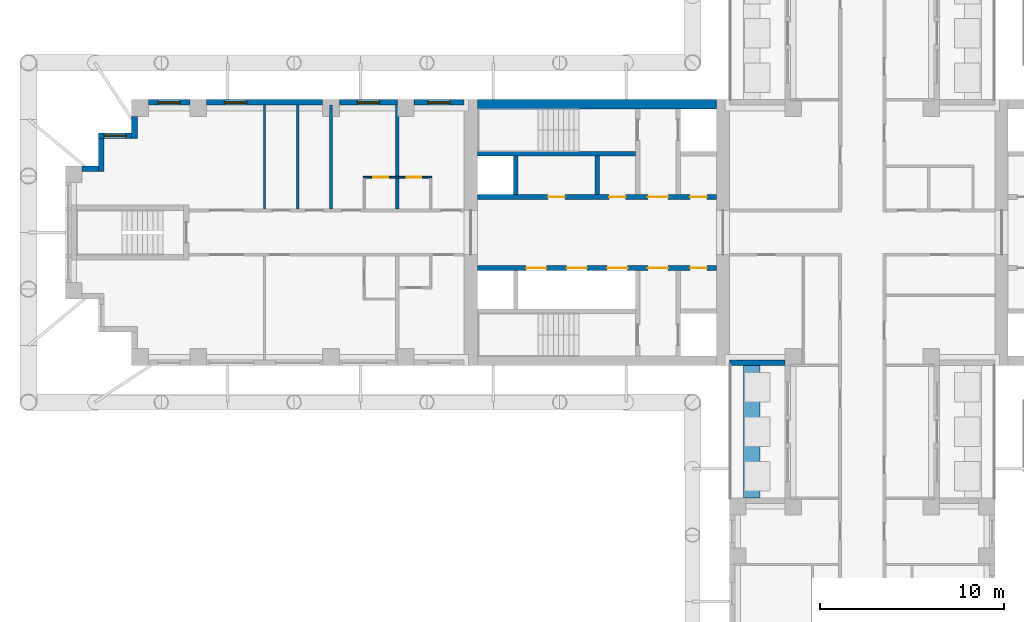
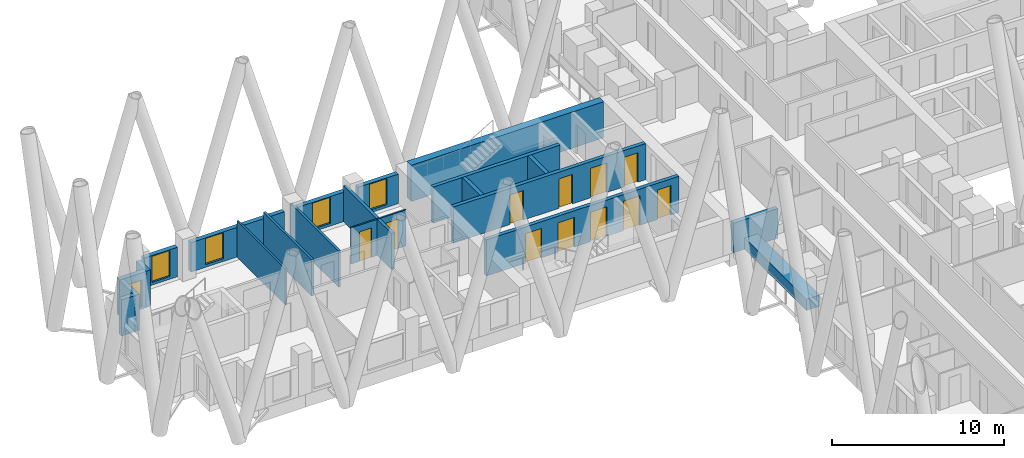
# One storey, part 7 of 16: 21 walls, 11 doors, 5 windows, 16 openings.
"""IFC4 building model written with IfcOpenShell, lengths in metres."""

from ifc_helpers import new_model, si_unit, direction, frame, frame_2d, origin, place, context, subcontext, project, spatial, rectangle, extrude, material, layer, layer_set, type_object, element, fill, save


model = new_model("IFC4")

# Units and contexts
model_context = context("Model", 3, precision=1e-05, world=origin(), true_north=direction((0.0, 1.0)))
body_context = subcontext(model_context, "Body", "Model", "MODEL_VIEW")
ifc_project = project(units=[si_unit("LENGTHUNIT", "METRE"), si_unit("AREAUNIT", "SQUARE_METRE"), si_unit("VOLUMEUNIT", "CUBIC_METRE"), si_unit("PLANEANGLEUNIT", "RADIAN"), si_unit("MASSUNIT", "GRAM", prefix="KILO")], contexts=[model_context])

# Site, building, storey
site_placement = place(None, origin())
site = spatial("IfcSite", under=ifc_project, at=site_placement, CompositionType="ELEMENT")
building_placement = place(site_placement, origin())
building = spatial("IfcBuilding", under=site, at=building_placement, Name="Fustian Cross Tower", CompositionType="ELEMENT")
storey_placement = place(building_placement, frame((0.0, 0.0, 44.699951171875)))
storey = spatial("IfcBuildingStorey", under=building, at=storey_placement, Name="L13", CompositionType="ELEMENT", Elevation=44.699951171875)

# Walls
ifc_material_1 = material(Name="Plasterboard on steel stud", Category="steel")
ifc_layer_1 = layer(ifc_material_1, 0.14990234375)
ifc_layer_set_1 = layer_set([ifc_layer_1], Name="Plasterboard on steel stud")
wall_type_1 = type_object("IfcWallType", Name="COMPARTMENT WALL 150 EI 60", PredefinedType="PARTITIONING", material=ifc_layer_set_1)
for number, where, z_axis, x_axis, name in (
    (1, (-30.60009765625, 1.27490234375, 0.0), (0.0, 0.0, 1.0), (0.0, 1.0, 0.0), "Partition 5"),
    (2, (-28.800048828125, 1.27490234375, 0.0), (0.0, 0.0, 1.0), (0.0, 1.0, 0.0), "Partition 6"),
):
    element("IfcWall", number, at=place(storey_placement, frame(where, z_axis=z_axis, x_axis=x_axis)), inside=storey, type_object=wall_type_1, Name=name, PredefinedType="PARTITIONING", context=body_context, shape_type="SweptSolid", body=[
        extrude(rectangle(XDim=5.625, YDim=0.14990234375, at=frame_2d((2.8125, 0.0))), origin(), (0.0, 0.0, 1.0), 2.574951171875),
    ])
ifc_material_2 = material(Name="Concrete C80/95", Category="concrete")
ifc_layer_2 = layer(ifc_material_2, 0.5)
ifc_layer_set_2 = layer_set([ifc_layer_2], Name="Concrete C80/95")
wall_type_2 = type_object("IfcWallType", Name="CORE FACADE WALL 500 C80/95", PredefinedType="SHEAR", material=ifc_layer_set_2)
wall_1_placement = place(storey_placement, frame((-7.89990234375, 6.949951171875, 0.0), z_axis=(0.0, 0.0, 1.0), x_axis=(-1.0, 0.0, 0.0)))
element("IfcWall", 3, at=wall_1_placement, inside=storey, type_object=wall_type_2, Name="Core facade wall", PredefinedType="SHEAR", context=body_context, shape_type="SweptSolid", body=[
    extrude(rectangle(XDim=12.9501953125, YDim=0.5, at=frame_2d((6.47509765625, 0.0))), origin(), (0.0, 0.0, 1.0), 2.574951171875),
])

# Wall, openings, doors
ifc_material_3 = material(Name="Concrete C50/60", Category="concrete")
ifc_layer_3 = layer(ifc_material_3, 0.25)
ifc_layer_set_3 = layer_set([ifc_layer_3], Name="Concrete C50/60")
wall_type_3 = type_object("IfcWallType", Name="CORE LOBBY WALL 250 C50/60", PredefinedType="SHEAR", material=ifc_layer_set_3)
wall_2_placement = place(storey_placement, frame((-7.89990234375, 1.925048828125, 0.0), z_axis=(0.0, 0.0, 1.0), x_axis=(-1.0, 0.0, 0.0)))
wall_2 = element("IfcWall", 4, at=wall_2_placement, inside=storey, type_object=wall_type_3, Name="Core lobby wall", PredefinedType="SHEAR", context=body_context, shape_type="SweptSolid", body=[
    extrude(rectangle(XDim=12.9501953125, YDim=0.25, at=frame_2d((6.47509765625, 0.0))), origin(), (0.0, 0.0, 1.0), 2.574951171875),
])
opening_1_placement = place(wall_2_placement, frame((0.52490234375, 0.0, 0.0)))
opening_1 = element("IfcOpeningElement", 5, at=opening_1_placement, cuts=wall_2, Name="Opening CD-05-23", PredefinedType="OPENING", context=body_context, shape_type="SweptSolid", body=[
    extrude(rectangle(XDim=0.89990234375, YDim=2.10009765625, at=frame_2d((0.449951171875, 1.050048828125))), frame((0.0, 0.135009765625, 0.0), z_axis=(0.0, -1.0, 0.0), x_axis=(1.0, 0.0, 0.0)), (0.0, 0.0, 1.0), 0.27001953125),
])
opening_2_placement = place(wall_2_placement, frame((2.625, 0.0, 0.0)))
opening_2 = element("IfcOpeningElement", 6, at=opening_2_placement, cuts=wall_2, Name="Opening CD-05-25", PredefinedType="OPENING", context=body_context, shape_type="SweptSolid", body=[
    extrude(rectangle(XDim=1.10009765625, YDim=2.10009765625, at=frame_2d((0.550048828125, 1.050048828125))), frame((0.0, 0.135009765625, 0.0), z_axis=(0.0, -1.0, 0.0), x_axis=(1.0, 0.0, 0.0)), (0.0, 0.0, 1.0), 0.27001953125),
])
opening_3_placement = place(wall_2_placement, frame((4.925048828125, 0.0, 0.0)))
opening_3 = element("IfcOpeningElement", 7, at=opening_3_placement, cuts=wall_2, Name="Opening CD-05-29", PredefinedType="OPENING", context=body_context, shape_type="SweptSolid", body=[
    extrude(rectangle(XDim=0.89990234375, YDim=2.10009765625, at=frame_2d((0.449951171875, 1.050048828125))), frame((0.0, 0.135009765625, 0.0), z_axis=(0.0, -1.0, 0.0), x_axis=(1.0, 0.0, 0.0)), (0.0, 0.0, 1.0), 0.27001953125),
])
opening_4_placement = place(wall_2_placement, frame((8.22509765625, 0.0, 0.0)))
opening_4 = element("IfcOpeningElement", 8, at=opening_4_placement, cuts=wall_2, Name="Opening CD-05-30", PredefinedType="OPENING", context=body_context, shape_type="SweptSolid", body=[
    extrude(rectangle(XDim=0.89990234375, YDim=2.10009765625, at=frame_2d((0.449951171875, 1.050048828125))), frame((0.0, 0.135009765625, 0.0), z_axis=(0.0, -1.0, 0.0), x_axis=(1.0, 0.0, 0.0)), (0.0, 0.0, 1.0), 0.27001953125),
])
ifc_material_4 = material(Name="Steel", Category="steel")
door_type_1 = type_object("IfcDoorType", Name="FIRE DOOR FD30S 900X2100", OperationType="SINGLE_SWING_LEFT", PredefinedType="DOOR", material=ifc_material_4)
door_1_placement = place(opening_3_placement, frame((0.89990234375, 0.0, 0.0), z_axis=(0.0, 0.0, 1.0), x_axis=(-1.0, 0.0, 0.0)))
door_1 = element("IfcDoor", 9, at=door_1_placement, inside=storey, type_object=door_type_1, Name="Core door CD-05-29", OperationType="SINGLE_SWING_RIGHT", OverallHeight=2.10009765625, OverallWidth=0.89990234375, PredefinedType="DOOR", context=body_context, shape_type="SweptSolid", body=[
    extrude(rectangle(XDim=0.89990234375, YDim=2.10009765625, at=frame_2d((0.449951171875, 1.050048828125))), frame((0.0, 0.02490234375, 0.0), z_axis=(0.0, -1.0, 0.0), x_axis=(1.0, 0.0, 0.0)), (0.0, 0.0, 1.0), 0.050048828125),
])
fill(opening_3, door_1)
door_2_placement = place(opening_4_placement, frame((0.89990234375, 0.0, 0.0), z_axis=(0.0, 0.0, 1.0), x_axis=(-1.0, 0.0, 0.0)))
door_2 = element("IfcDoor", 10, at=door_2_placement, inside=storey, type_object=door_type_1, Name="Core door CD-05-30", OperationType="SINGLE_SWING_LEFT", OverallHeight=2.10009765625, OverallWidth=0.89990234375, PredefinedType="DOOR", context=body_context, shape_type="SweptSolid", body=[
    extrude(rectangle(XDim=0.89990234375, YDim=2.10009765625, at=frame_2d((0.449951171875, 1.050048828125))), frame((0.0, 0.02490234375, 0.0), z_axis=(0.0, -1.0, 0.0), x_axis=(1.0, 0.0, 0.0)), (0.0, 0.0, 1.0), 0.050048828125),
])
fill(opening_4, door_2)
ifc_material_5 = material(Name="Steel", Category="steel")
door_type_2 = type_object("IfcDoorType", Name="FIRE DOOR FD60S 1100X2100", OperationType="SINGLE_SWING_LEFT", PredefinedType="DOOR", material=ifc_material_5)
door_3_placement = place(opening_2_placement, frame((1.10009765625, 0.0, 0.0), z_axis=(0.0, 0.0, 1.0), x_axis=(-1.0, 0.0, 0.0)))
door_3 = element("IfcDoor", 11, at=door_3_placement, inside=storey, type_object=door_type_2, Name="Core door CD-05-25", OperationType="SINGLE_SWING_RIGHT", OverallHeight=2.10009765625, OverallWidth=1.10009765625, PredefinedType="DOOR", context=body_context, shape_type="SweptSolid", body=[
    extrude(rectangle(XDim=1.10009765625, YDim=2.10009765625, at=frame_2d((0.550048828125, 1.050048828125))), frame((0.0, 0.02490234375, 0.0), z_axis=(0.0, -1.0, 0.0), x_axis=(1.0, 0.0, 0.0)), (0.0, 0.0, 1.0), 0.050048828125),
])
fill(opening_2, door_3)
ifc_material_6 = material(Name="Steel", Category="steel")
door_type_3 = type_object("IfcDoorType", Name="FIRE DOOR FD60S 900X2100", OperationType="SINGLE_SWING_LEFT", PredefinedType="DOOR", material=ifc_material_6)
door_4_placement = place(opening_1_placement, frame((0.89990234375, 0.0, 0.0), z_axis=(0.0, 0.0, 1.0), x_axis=(-1.0, 0.0, 0.0)))
door_4 = element("IfcDoor", 12, at=door_4_placement, inside=storey, type_object=door_type_3, Name="Core door CD-05-23", OperationType="SINGLE_SWING_RIGHT", OverallHeight=2.10009765625, OverallWidth=0.89990234375, PredefinedType="DOOR", context=body_context, shape_type="SweptSolid", body=[
    extrude(rectangle(XDim=0.89990234375, YDim=2.10009765625, at=frame_2d((0.449951171875, 1.050048828125))), frame((0.0, 0.02490234375, 0.0), z_axis=(0.0, -1.0, 0.0), x_axis=(1.0, 0.0, 0.0)), (0.0, 0.0, 1.0), 0.050048828125),
])
fill(opening_1, door_4)

wall_3_placement = place(storey_placement, frame((-7.89990234375, -1.925048828125, 0.0), z_axis=(0.0, 0.0, 1.0), x_axis=(-1.0, 0.0, 0.0)))
wall_3 = element("IfcWall", 13, at=wall_3_placement, inside=storey, type_object=wall_type_3, Name="Core lobby wall", PredefinedType="SHEAR", context=body_context, shape_type="SweptSolid", body=[
    extrude(rectangle(XDim=12.9501953125, YDim=0.25, at=frame_2d((6.47509765625, 0.0))), origin(), (0.0, 0.0, 1.0), 2.574951171875),
])
opening_5_placement = place(wall_3_placement, frame((4.824951171875, 0.0, 0.0)))
opening_5 = element("IfcOpeningElement", 14, at=opening_5_placement, cuts=wall_3, Name="Opening LD", PredefinedType="OPENING", context=body_context, shape_type="SweptSolid", body=[
    extrude(rectangle(XDim=1.10009765625, YDim=2.10009765625, at=frame_2d((0.550048828125, 1.050048828125))), frame((0.0, 0.135009765625, 0.0), z_axis=(0.0, -1.0, 0.0), x_axis=(1.0, 0.0, 0.0)), (0.0, 0.0, 1.0), 0.27001953125),
])
opening_6_placement = place(wall_3_placement, frame((7.02490234375, 0.0, 0.0)))
opening_6 = element("IfcOpeningElement", 15, at=opening_6_placement, cuts=wall_3, Name="Opening LD", PredefinedType="OPENING", context=body_context, shape_type="SweptSolid", body=[
    extrude(rectangle(XDim=1.10009765625, YDim=2.10009765625, at=frame_2d((0.550048828125, 1.050048828125))), frame((0.0, 0.135009765625, 0.0), z_axis=(0.0, -1.0, 0.0), x_axis=(1.0, 0.0, 0.0)), (0.0, 0.0, 1.0), 0.27001953125),
])
opening_7_placement = place(wall_3_placement, frame((9.22509765625, 0.0, 0.0)))
opening_7 = element("IfcOpeningElement", 16, at=opening_7_placement, cuts=wall_3, Name="Opening LD", PredefinedType="OPENING", context=body_context, shape_type="SweptSolid", body=[
    extrude(rectangle(XDim=1.10009765625, YDim=2.10009765625, at=frame_2d((0.550048828125, 1.050048828125))), frame((0.0, 0.135009765625, 0.0), z_axis=(0.0, -1.0, 0.0), x_axis=(1.0, 0.0, 0.0)), (0.0, 0.0, 1.0), 0.27001953125),
])
opening_8_placement = place(wall_3_placement, frame((0.52490234375, 0.0, 0.0)))
opening_8 = element("IfcOpeningElement", 17, at=opening_8_placement, cuts=wall_3, Name="Opening CD-05-24", PredefinedType="OPENING", context=body_context, shape_type="SweptSolid", body=[
    extrude(rectangle(XDim=0.89990234375, YDim=2.10009765625, at=frame_2d((0.449951171875, 1.050048828125))), frame((0.0, 0.135009765625, 0.0), z_axis=(0.0, -1.0, 0.0), x_axis=(1.0, 0.0, 0.0)), (0.0, 0.0, 1.0), 0.27001953125),
])
opening_9_placement = place(wall_3_placement, frame((2.625, 0.0, 0.0)))
opening_9 = element("IfcOpeningElement", 18, at=opening_9_placement, cuts=wall_3, Name="Opening CD-05-26", PredefinedType="OPENING", context=body_context, shape_type="SweptSolid", body=[
    extrude(rectangle(XDim=1.10009765625, YDim=2.10009765625, at=frame_2d((0.550048828125, 1.050048828125))), frame((0.0, 0.135009765625, 0.0), z_axis=(0.0, -1.0, 0.0), x_axis=(1.0, 0.0, 0.0)), (0.0, 0.0, 1.0), 0.27001953125),
])
ifc_material_7 = material(Name="Steel", Category="steel")
door_type_4 = type_object("IfcDoorType", Name="FIRE DOOR FD30S 1100X2100", OperationType="SINGLE_SWING_LEFT", PredefinedType="DOOR", material=ifc_material_7)
door_5_placement = place(opening_9_placement, frame((1.10009765625, 0.0, 0.0), z_axis=(0.0, 0.0, 1.0), x_axis=(-1.0, 0.0, 0.0)))
door_5 = element("IfcDoor", 19, at=door_5_placement, inside=storey, type_object=door_type_4, Name="Core door CD-05-26", OperationType="SINGLE_SWING_RIGHT", OverallHeight=2.10009765625, OverallWidth=1.10009765625, PredefinedType="DOOR", context=body_context, shape_type="SweptSolid", body=[
    extrude(rectangle(XDim=1.10009765625, YDim=2.10009765625, at=frame_2d((0.550048828125, 1.050048828125))), frame((0.0, 0.02490234375, 0.0), z_axis=(0.0, -1.0, 0.0), x_axis=(1.0, 0.0, 0.0)), (0.0, 0.0, 1.0), 0.050048828125),
])
fill(opening_9, door_5)
door_6_placement = place(opening_8_placement, origin())
door_6 = element("IfcDoor", 20, at=door_6_placement, inside=storey, type_object=door_type_1, Name="Core door CD-05-24", OperationType="SINGLE_SWING_LEFT", OverallHeight=2.10009765625, OverallWidth=0.89990234375, PredefinedType="DOOR", context=body_context, shape_type="SweptSolid", body=[
    extrude(rectangle(XDim=0.89990234375, YDim=2.10009765625, at=frame_2d((0.449951171875, 1.050048828125))), frame((0.0, 0.02490234375, 0.0), z_axis=(0.0, -1.0, 0.0), x_axis=(1.0, 0.0, 0.0)), (0.0, 0.0, 1.0), 0.050048828125),
])
fill(opening_8, door_6)
ifc_material_8 = material(Name="Stainless steel", Category="steel")
door_type_5 = type_object("IfcDoorType", Name="LIFT LANDING DOOR 1100X2100", OperationType="SLIDING_TO_LEFT", PredefinedType="DOOR", material=ifc_material_8)
door_7_placement = place(opening_5_placement, origin())
door_7 = element("IfcDoor", 21, at=door_7_placement, inside=storey, type_object=door_type_5, Name="Landing door LR1W", OperationType="SLIDING_TO_LEFT", OverallHeight=2.10009765625, OverallWidth=1.10009765625, PredefinedType="DOOR", context=body_context, shape_type="SweptSolid", body=[
    extrude(rectangle(XDim=1.10009765625, YDim=2.10009765625, at=frame_2d((0.550048828125, 1.050048828125))), frame((0.0, 0.02490234375, 0.0), z_axis=(0.0, -1.0, 0.0), x_axis=(1.0, 0.0, 0.0)), (0.0, 0.0, 1.0), 0.050048828125),
])
fill(opening_5, door_7)
door_8_placement = place(opening_6_placement, origin())
door_8 = element("IfcDoor", 22, at=door_8_placement, inside=storey, type_object=door_type_5, Name="Landing door LR2W", OperationType="SLIDING_TO_LEFT", OverallHeight=2.10009765625, OverallWidth=1.10009765625, PredefinedType="DOOR", context=body_context, shape_type="SweptSolid", body=[
    extrude(rectangle(XDim=1.10009765625, YDim=2.10009765625, at=frame_2d((0.550048828125, 1.050048828125))), frame((0.0, 0.02490234375, 0.0), z_axis=(0.0, -1.0, 0.0), x_axis=(1.0, 0.0, 0.0)), (0.0, 0.0, 1.0), 0.050048828125),
])
fill(opening_6, door_8)
door_9_placement = place(opening_7_placement, origin())
door_9 = element("IfcDoor", 23, at=door_9_placement, inside=storey, type_object=door_type_5, Name="Landing door LR3W", OperationType="SLIDING_TO_LEFT", OverallHeight=2.10009765625, OverallWidth=1.10009765625, PredefinedType="DOOR", context=body_context, shape_type="SweptSolid", body=[
    extrude(rectangle(XDim=1.10009765625, YDim=2.10009765625, at=frame_2d((0.550048828125, 1.050048828125))), frame((0.0, 0.02490234375, 0.0), z_axis=(0.0, -1.0, 0.0), x_axis=(1.0, 0.0, 0.0)), (0.0, 0.0, 1.0), 0.050048828125),
])
fill(opening_7, door_9)

# Wall
ifc_material_9 = material(Name="Concrete C50/60", Category="concrete")
ifc_layer_4 = layer(ifc_material_9, 0.25)
ifc_layer_set_4 = layer_set([ifc_layer_4], Name="Concrete C50/60")
wall_type_4 = type_object("IfcWallType", Name="CORE SHAFT WALL 250 C50/60", PredefinedType="SHEAR", material=ifc_layer_set_4)
wall_4_placement = place(storey_placement, frame((-12.300048828125, 4.27490234375, 0.0), z_axis=(0.0, 0.0, 1.0), x_axis=(-1.0, 0.0, 0.0)))
element("IfcWall", 24, at=wall_4_placement, inside=storey, type_object=wall_type_4, Name="Core shaft wall", PredefinedType="SHEAR", context=body_context, shape_type="SweptSolid", body=[
    extrude(rectangle(XDim=8.550048828125, YDim=0.25, at=frame_2d((4.27490234375, 0.0))), origin(), (0.0, 0.0, 1.0), 2.574951171875),
])

# Wall, openings, doors
ifc_material_10 = material(Name="Plasterboard on steel stud", Category="steel")
ifc_layer_5 = layer(ifc_material_10, 0.10009765625)
ifc_layer_set_5 = layer_set([ifc_layer_5], Name="Plasterboard on steel stud")
wall_type_5 = type_object("IfcWallType", Name="PARTITION 100 STUD", PredefinedType="PARTITIONING", material=ifc_layer_set_5)
wall_5_placement = place(storey_placement, frame((-27.050048828125, 3.0, 0.0), z_axis=(0.0, 0.0, 1.0), x_axis=(1.0, 0.0, 0.0)))
wall_5 = element("IfcWall", 25, at=wall_5_placement, inside=storey, type_object=wall_type_5, Name="Partition 10", PredefinedType="PARTITIONING", context=body_context, shape_type="SweptSolid", body=[
    extrude(rectangle(XDim=3.699951171875, YDim=0.10009765625, at=frame_2d((1.85009765625, 0.0))), origin(), (0.0, 0.0, 1.0), 2.574951171875),
])
opening_10_placement = place(wall_5_placement, frame((2.35009765625, 0.0, 0.0)))
opening_10 = element("IfcOpeningElement", 26, at=opening_10_placement, cuts=wall_5, Name="Opening D08041", PredefinedType="OPENING", context=body_context, shape_type="SweptSolid", body=[
    extrude(rectangle(XDim=0.800048828125, YDim=2.10009765625, at=frame_2d((0.39990234375, 1.050048828125))), frame((0.0, 0.06005859375, 0.0), z_axis=(0.0, -1.0, 0.0), x_axis=(1.0, 0.0, 0.0)), (0.0, 0.0, 1.0), 0.1201171875),
])
opening_11_placement = place(wall_5_placement, frame((0.550048828125, 0.0, 0.0)))
opening_11 = element("IfcOpeningElement", 27, at=opening_11_placement, cuts=wall_5, Name="Opening D08043", PredefinedType="OPENING", context=body_context, shape_type="SweptSolid", body=[
    extrude(rectangle(XDim=0.800048828125, YDim=2.10009765625, at=frame_2d((0.39990234375, 1.050048828125))), frame((0.0, 0.06005859375, 0.0), z_axis=(0.0, -1.0, 0.0), x_axis=(1.0, 0.0, 0.0)), (0.0, 0.0, 1.0), 0.1201171875),
])
ifc_material_11 = material(Name="Painted timber", Category="wood")
door_type_6 = type_object("IfcDoorType", Name="SWING DOOR 800", OperationType="SINGLE_SWING_LEFT", PredefinedType="DOOR", material=ifc_material_11)
door_10_placement = place(opening_10_placement, frame((0.800048828125, 0.0, 0.0), z_axis=(0.0, 0.0, 1.0), x_axis=(-1.0, 0.0, 0.0)))
door_10 = element("IfcDoor", 28, at=door_10_placement, inside=storey, type_object=door_type_6, Name="Door D08041", OperationType="SINGLE_SWING_LEFT", OverallHeight=2.10009765625, OverallWidth=0.800048828125, PredefinedType="DOOR", context=body_context, shape_type="SweptSolid", body=[
    extrude(rectangle(XDim=0.800048828125, YDim=2.10009765625, at=frame_2d((0.39990234375, 1.050048828125))), frame((0.0, 0.02490234375, 0.0), z_axis=(0.0, -1.0, 0.0), x_axis=(1.0, 0.0, 0.0)), (0.0, 0.0, 1.0), 0.050048828125),
])
fill(opening_10, door_10)
door_11_placement = place(opening_11_placement, frame((0.800048828125, 0.0, 0.0), z_axis=(0.0, 0.0, 1.0), x_axis=(-1.0, 0.0, 0.0)))
door_11 = element("IfcDoor", 29, at=door_11_placement, inside=storey, type_object=door_type_6, Name="Door D08043", OperationType="SINGLE_SWING_LEFT", OverallHeight=2.10009765625, OverallWidth=0.800048828125, PredefinedType="DOOR", context=body_context, shape_type="SweptSolid", body=[
    extrude(rectangle(XDim=0.800048828125, YDim=2.10009765625, at=frame_2d((0.39990234375, 1.050048828125))), frame((0.0, 0.02490234375, 0.0), z_axis=(0.0, -1.0, 0.0), x_axis=(1.0, 0.0, 0.0)), (0.0, 0.0, 1.0), 0.050048828125),
])
fill(opening_11, door_11)

# Walls
ifc_material_12 = material(Name="Plasterboard on steel stud", Category="steel")
ifc_layer_6 = layer(ifc_material_12, 0.199951171875)
ifc_layer_set_6 = layer_set([ifc_layer_6], Name="Plasterboard on steel stud")
wall_type_6 = type_object("IfcWallType", Name="PARTY WALL 200 EI 60", PredefinedType="PARTITIONING", material=ifc_layer_set_6)
wall_6_placement = place(storey_placement, frame((-25.199951171875, 1.27490234375, 0.0), z_axis=(0.0, 0.0, 1.0), x_axis=(0.0, 1.0, 0.0)))
element("IfcWall", 30, at=wall_6_placement, inside=storey, type_object=wall_type_6, Name="Partition 13", PredefinedType="PARTITIONING", context=body_context, shape_type="SweptSolid", body=[
    extrude(rectangle(XDim=5.625, YDim=0.199951171875, at=frame_2d((2.8125, 0.0))), origin(), (0.0, 0.0, 1.0), 2.574951171875),
])
ifc_material_13 = material(Name="Concrete C40/50", Category="concrete")
ifc_layer_7 = layer(ifc_material_13, 0.89990234375)
ifc_layer_set_7 = layer_set([ifc_layer_7], Name="Concrete C40/50")
wall_type_7 = type_object("IfcWallType", Name="PK1 PLANTER 900", PredefinedType="PARAPET", material=ifc_layer_set_7)
wall_7_placement = place(storey_placement, frame((-6.0, -14.39990234375, 0.0), z_axis=(0.0, 0.0, 1.0), x_axis=(0.0, 1.0, 0.0)))
element("IfcWall", 31, at=wall_7_placement, inside=storey, type_object=wall_type_7, Name="PLANTER", PredefinedType="PARAPET", context=body_context, shape_type="SweptSolid", body=[
    extrude(rectangle(XDim=7.199951171875, YDim=0.89990234375, at=frame_2d((3.60009765625, 0.0))), origin(), (0.0, 0.0, 1.0), 0.800048828125),
])
ifc_material_14 = material(Name="Concrete C40/50", Category="concrete")
ifc_layer_8 = layer(ifc_material_14, 0.25)
ifc_layer_set_8 = layer_set([ifc_layer_8], Name="Concrete C40/50")
wall_type_8 = type_object("IfcWallType", Name="SHAFT PARTITION WALL 250 C40/50", PredefinedType="PARTITIONING", material=ifc_layer_set_8)
for number, where, z_axis, x_axis, name in (
    (32, (-14.375, 2.050048828125, 0.0), (0.0, 0.0, 1.0), (0.0, 1.0, 0.0), "Core shaft wall"),
    (33, (-18.77490234375, 2.050048828125, 0.0), (0.0, 0.0, 1.0), (0.0, 1.0, 0.0), "Core shaft wall"),
):
    element("IfcWall", number, at=place(storey_placement, frame(where, z_axis=z_axis, x_axis=x_axis)), inside=storey, type_object=wall_type_8, Name=name, PredefinedType="PARTITIONING", context=body_context, shape_type="SweptSolid", body=[
        extrude(rectangle(XDim=2.099853515625, YDim=0.25, at=frame_2d((1.0498046875, 0.0))), origin(), (0.0, 0.0, 1.0), 2.574951171875),
    ])
ifc_material_15 = material(Name="Plasterboard on steel stud", Category="steel")
ifc_layer_9 = layer(ifc_material_15, 0.125)
ifc_layer_set_9 = layer_set([ifc_layer_9], Name="Plasterboard on steel stud")
wall_type_9 = type_object("IfcWallType", Name="WET WALL 125 STUD", PredefinedType="PARTITIONING", material=ifc_layer_set_9)
wall_8_placement = place(storey_placement, frame((-32.39990234375, 1.27490234375, 0.0), z_axis=(0.0, 0.0, 1.0), x_axis=(0.0, 1.0, 0.0)))
element("IfcWall", 34, at=wall_8_placement, inside=storey, type_object=wall_type_9, Name="Partition 4", PredefinedType="PARTITIONING", context=body_context, shape_type="SweptSolid", body=[
    extrude(rectangle(XDim=5.625, YDim=0.125, at=frame_2d((2.8125, 0.0))), origin(), (0.0, 0.0, 1.0), 2.574951171875),
])

# Wall, opening, window
ifc_material_16 = material(Name="Dark aluminium cladding on insulated backing wall", Category="aluminium")
ifc_layer_10 = layer(ifc_material_16, 0.300048828125)
ifc_layer_set_10 = layer_set([ifc_layer_10], Name="Dark aluminium cladding on insulated backing wall")
wall_type_10 = type_object("IfcWallType", Name="XW1 EXTERNAL WALL 300", PredefinedType="SOLIDWALL", material=ifc_layer_set_10)
wall_9_placement = place(storey_placement, frame((-21.60009765625, 7.050048828125, 0.0), z_axis=(0.0, 0.0, 1.0), x_axis=(-1.0, 0.0, 0.0)))
wall_9 = element("IfcWall", 35, at=wall_9_placement, inside=storey, type_object=wall_type_10, Name="External wall", PredefinedType="SOLIDWALL", context=body_context, shape_type="SweptSolid", body=[
    extrude(rectangle(XDim=2.699951171875, YDim=0.300048828125, at=frame_2d((1.35009765625, 0.0))), origin(), (0.0, 0.0, 1.0), 2.10009765625),
])
opening_12_placement = place(wall_9_placement, frame((0.75, 0.0, 0.199951171875)))
opening_12 = element("IfcOpeningElement", 36, at=opening_12_placement, cuts=wall_9, Name="Opening WN3", PredefinedType="OPENING", context=body_context, shape_type="SweptSolid", body=[
    extrude(rectangle(XDim=1.199951171875, YDim=1.85009765625, at=frame_2d((0.60009765625, 0.925048828125))), frame((0.0, 0.159912109375, 0.0), z_axis=(0.0, -1.0, 0.0), x_axis=(1.0, 0.0, 0.0)), (0.0, 0.0, 1.0), 0.320068359375),
])
ifc_material_17 = material(Name="Dark anodised aluminium and double glazing", Category="aluminium")
window_type = type_object("IfcWindowType", Name="WN3 WINDOW 1200X1850", PartitioningType="SINGLE_PANEL", PredefinedType="WINDOW", material=ifc_material_17)
window_1_placement = place(opening_12_placement, origin())
window_1 = element("IfcWindow", 37, at=window_1_placement, inside=storey, type_object=window_type, Name="Window", OverallHeight=1.85009765625, OverallWidth=1.199951171875, PartitioningType="SINGLE_PANEL", PredefinedType="WINDOW", context=body_context, shape_type="SweptSolid", body=[
    extrude(rectangle(XDim=1.199951171875, YDim=1.85009765625, at=frame_2d((0.60009765625, 0.925048828125))), frame((0.0, 0.030029296875, 0.0), z_axis=(0.0, -1.0, 0.0), x_axis=(1.0, 0.0, 0.0)), (0.0, 0.0, 1.0), 0.06005859375),
])
fill(opening_12, window_1)

wall_10_placement = place(storey_placement, frame((-25.199951171875, 7.050048828125, 0.0), z_axis=(0.0, 0.0, 1.0), x_axis=(-1.0, 0.0, 0.0)))
wall_10 = element("IfcWall", 38, at=wall_10_placement, inside=storey, type_object=wall_type_10, Name="External wall", PredefinedType="SOLIDWALL", context=body_context, shape_type="SweptSolid", body=[
    extrude(rectangle(XDim=3.150146484375, YDim=0.300048828125, at=frame_2d((1.5751953125, 0.0))), origin(), (0.0, 0.0, 1.0), 2.10009765625),
])
opening_13_placement = place(wall_10_placement, frame((0.97509765625, 0.0, 0.199951171875)))
opening_13 = element("IfcOpeningElement", 39, at=opening_13_placement, cuts=wall_10, Name="Opening WN3", PredefinedType="OPENING", context=body_context, shape_type="SweptSolid", body=[
    extrude(rectangle(XDim=1.199951171875, YDim=1.85009765625, at=frame_2d((0.60009765625, 0.925048828125))), frame((0.0, 0.159912109375, 0.0), z_axis=(0.0, -1.0, 0.0), x_axis=(1.0, 0.0, 0.0)), (0.0, 0.0, 1.0), 0.320068359375),
])
window_2_placement = place(opening_13_placement, origin())
window_2 = element("IfcWindow", 40, at=window_2_placement, inside=storey, type_object=window_type, Name="Window", OverallHeight=1.85009765625, OverallWidth=1.199951171875, PartitioningType="SINGLE_PANEL", PredefinedType="WINDOW", context=body_context, shape_type="SweptSolid", body=[
    extrude(rectangle(XDim=1.199951171875, YDim=1.85009765625, at=frame_2d((0.60009765625, 0.925048828125))), frame((0.0, 0.030029296875, 0.0), z_axis=(0.0, -1.0, 0.0), x_axis=(1.0, 0.0, 0.0)), (0.0, 0.0, 1.0), 0.06005859375),
])
fill(opening_13, window_2)

wall_11_placement = place(storey_placement, frame((-29.25, 7.050048828125, 0.0), z_axis=(0.0, 0.0, 1.0), x_axis=(-1.0, 0.0, 0.0)))
wall_11 = element("IfcWall", 41, at=wall_11_placement, inside=storey, type_object=wall_type_10, Name="External wall", PredefinedType="SOLIDWALL", context=body_context, shape_type="SweptSolid", body=[
    extrude(rectangle(XDim=6.300048828125, YDim=0.300048828125, at=frame_2d((3.14990234375, 0.0))), origin(), (0.0, 0.0, 1.0), 2.10009765625),
])
opening_14_placement = place(wall_11_placement, frame((4.125, 0.0, 0.199951171875)))
opening_14 = element("IfcOpeningElement", 42, at=opening_14_placement, cuts=wall_11, Name="Opening WN3", PredefinedType="OPENING", context=body_context, shape_type="SweptSolid", body=[
    extrude(rectangle(XDim=1.199951171875, YDim=1.85009765625, at=frame_2d((0.60009765625, 0.925048828125))), frame((0.0, 0.159912109375, 0.0), z_axis=(0.0, -1.0, 0.0), x_axis=(1.0, 0.0, 0.0)), (0.0, 0.0, 1.0), 0.320068359375),
])
window_3_placement = place(opening_14_placement, origin())
window_3 = element("IfcWindow", 43, at=window_3_placement, inside=storey, type_object=window_type, Name="Window", OverallHeight=1.85009765625, OverallWidth=1.199951171875, PartitioningType="SINGLE_PANEL", PredefinedType="WINDOW", context=body_context, shape_type="SweptSolid", body=[
    extrude(rectangle(XDim=1.199951171875, YDim=1.85009765625, at=frame_2d((0.60009765625, 0.925048828125))), frame((0.0, 0.030029296875, 0.0), z_axis=(0.0, -1.0, 0.0), x_axis=(1.0, 0.0, 0.0)), (0.0, 0.0, 1.0), 0.06005859375),
])
fill(opening_14, window_3)

wall_12_placement = place(storey_placement, frame((-36.449951171875, 7.050048828125, 0.0), z_axis=(0.0, 0.0, 1.0), x_axis=(-1.0, 0.0, 0.0)))
wall_12 = element("IfcWall", 44, at=wall_12_placement, inside=storey, type_object=wall_type_10, Name="External wall", PredefinedType="SOLIDWALL", context=body_context, shape_type="SweptSolid", body=[
    extrude(rectangle(XDim=2.25, YDim=0.300048828125, at=frame_2d((1.125, 0.0))), origin(), (0.0, 0.0, 1.0), 2.10009765625),
])
opening_15_placement = place(wall_12_placement, frame((0.52490234375, 0.0, 0.199951171875)))
opening_15 = element("IfcOpeningElement", 45, at=opening_15_placement, cuts=wall_12, Name="Opening WN3", PredefinedType="OPENING", context=body_context, shape_type="SweptSolid", body=[
    extrude(rectangle(XDim=1.199951171875, YDim=1.85009765625, at=frame_2d((0.60009765625, 0.925048828125))), frame((0.0, 0.159912109375, 0.0), z_axis=(0.0, -1.0, 0.0), x_axis=(1.0, 0.0, 0.0)), (0.0, 0.0, 1.0), 0.320068359375),
])
window_4_placement = place(opening_15_placement, origin())
window_4 = element("IfcWindow", 46, at=window_4_placement, inside=storey, type_object=window_type, Name="Window", OverallHeight=1.85009765625, OverallWidth=1.199951171875, PartitioningType="SINGLE_PANEL", PredefinedType="WINDOW", context=body_context, shape_type="SweptSolid", body=[
    extrude(rectangle(XDim=1.199951171875, YDim=1.85009765625, at=frame_2d((0.60009765625, 0.925048828125))), frame((0.0, 0.030029296875, 0.0), z_axis=(0.0, -1.0, 0.0), x_axis=(1.0, 0.0, 0.0)), (0.0, 0.0, 1.0), 0.06005859375),
])
fill(opening_15, window_4)

# Wall
wall_13_placement = place(storey_placement, frame((-39.449951171875, 6.300048828125, 0.0), z_axis=(0.0, 0.0, 1.0), x_axis=(0.0, -1.0, 0.0)))
element("IfcWall", 47, at=wall_13_placement, inside=storey, type_object=wall_type_10, Name="External wall", PredefinedType="SOLIDWALL", context=body_context, shape_type="SweptSolid", body=[
    extrude(rectangle(XDim=1.199951171875, YDim=0.300048828125, at=frame_2d((0.60009765625, 0.0))), origin(), (0.0, 0.0, 1.0), 2.574951171875),
])

# Wall, opening, window
wall_14_placement = place(storey_placement, frame((-39.60009765625, 5.25, 0.0), z_axis=(0.0, 0.0, 1.0), x_axis=(-1.0, 0.0, 0.0)))
wall_14 = element("IfcWall", 48, at=wall_14_placement, inside=storey, type_object=wall_type_10, Name="External wall", PredefinedType="SOLIDWALL", context=body_context, shape_type="SweptSolid", body=[
    extrude(rectangle(XDim=1.7998046875, YDim=0.300048828125, at=frame_2d((0.89990234375, 0.0))), origin(), (0.0, 0.0, 1.0), 2.574951171875),
])
opening_16_placement = place(wall_14_placement, frame((0.300048828125, 0.0, 0.199951171875)))
opening_16 = element("IfcOpeningElement", 49, at=opening_16_placement, cuts=wall_14, Name="Opening WN3", PredefinedType="OPENING", context=body_context, shape_type="SweptSolid", body=[
    extrude(rectangle(XDim=1.199951171875, YDim=1.85009765625, at=frame_2d((0.60009765625, 0.925048828125))), frame((0.0, 0.159912109375, 0.0), z_axis=(0.0, -1.0, 0.0), x_axis=(1.0, 0.0, 0.0)), (0.0, 0.0, 1.0), 0.320068359375),
])
window_5_placement = place(opening_16_placement, origin())
window_5 = element("IfcWindow", 50, at=window_5_placement, inside=storey, type_object=window_type, Name="Window", OverallHeight=1.85009765625, OverallWidth=1.199951171875, PartitioningType="SINGLE_PANEL", PredefinedType="WINDOW", context=body_context, shape_type="SweptSolid", body=[
    extrude(rectangle(XDim=1.199951171875, YDim=1.85009765625, at=frame_2d((0.60009765625, 0.925048828125))), frame((0.0, 0.030029296875, 0.0), z_axis=(0.0, -1.0, 0.0), x_axis=(1.0, 0.0, 0.0)), (0.0, 0.0, 1.0), 0.06005859375),
])
fill(opening_16, window_5)

# Walls
wall_15_placement = place(storey_placement, frame((-41.25, 5.10009765625, 0.0), z_axis=(0.0, 0.0, 1.0), x_axis=(0.0, -1.0, 0.0)))
element("IfcWall", 51, at=wall_15_placement, inside=storey, type_object=wall_type_10, Name="External wall", PredefinedType="SOLIDWALL", context=body_context, shape_type="SweptSolid", body=[
    extrude(rectangle(XDim=1.800048828125, YDim=0.300048828125, at=frame_2d((0.89990234375, 0.0))), origin(), (0.0, 0.0, 1.0), 2.574951171875),
])
wall_16_placement = place(storey_placement, frame((-41.39990234375, 3.449951171875, 0.0), z_axis=(0.0, 0.0, 1.0), x_axis=(-1.0, 0.0, 0.0)))
element("IfcWall", 52, at=wall_16_placement, inside=storey, type_object=wall_type_10, Name="External wall", PredefinedType="SOLIDWALL", context=body_context, shape_type="SweptSolid", body=[
    extrude(rectangle(XDim=0.900146484375, YDim=0.300048828125, at=frame_2d((0.4501953125, 0.0))), origin(), (0.0, 0.0, 1.0), 2.574951171875),
])
wall_17_placement = place(storey_placement, frame((-7.199951171875, -7.050048828125, 0.0), z_axis=(0.0, 0.0, 1.0), x_axis=(1.0, 0.0, 0.0)))
element("IfcWall", 53, at=wall_17_placement, inside=storey, type_object=wall_type_10, Name="External wall", PredefinedType="SOLIDWALL", context=body_context, shape_type="SweptSolid", body=[
    extrude(rectangle(XDim=3.0, YDim=0.300048828125, at=frame_2d((1.5, 0.0))), origin(), (0.0, 0.0, 1.0), 2.10009765625),
])

save(model, "model.ifc")
